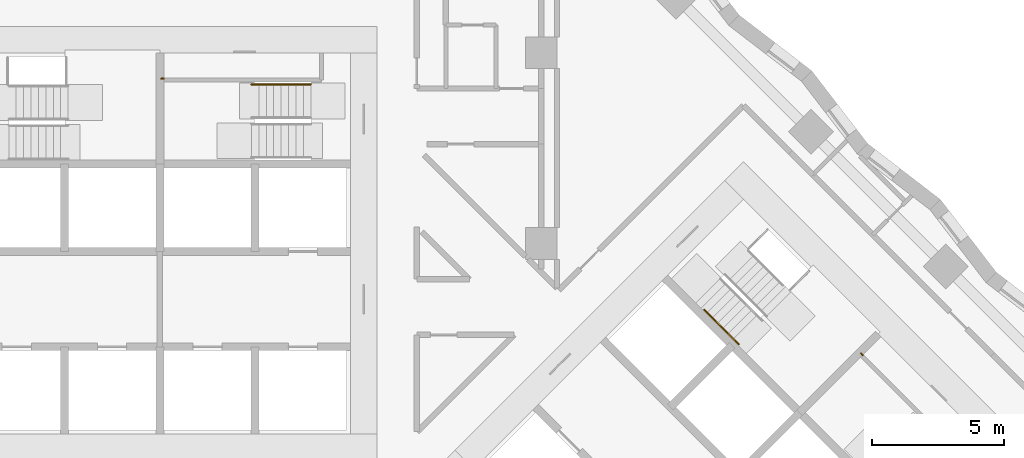
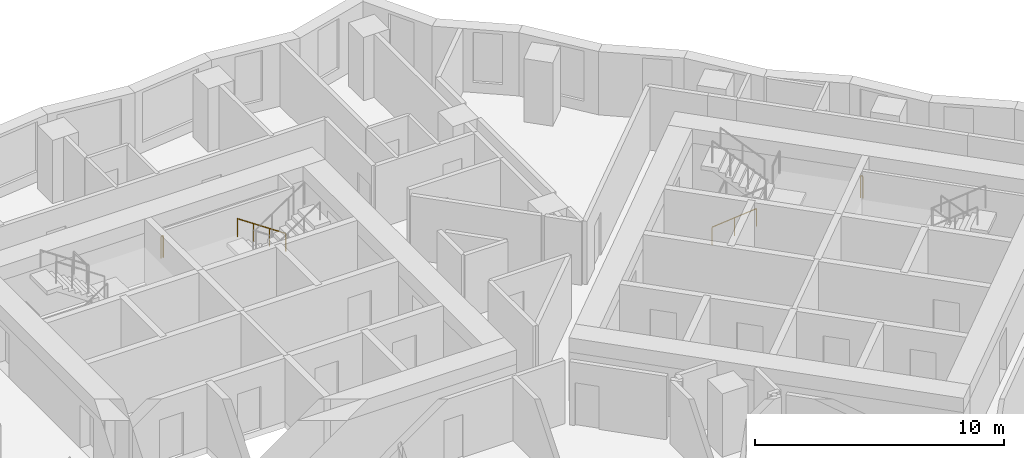
# One storey, part 13 of 14: 4 railings.
"""IFC4 building model written with IfcOpenShell, lengths in metres."""

from ifc_helpers import new_model, si_unit, direction, frame, origin, origin_2d, place, context, subcontext, project, spatial, circle, extrude, material, type_object, element, save


model = new_model("IFC4")

# Units and contexts
model_context = context("Model", 3, precision=1e-05, world=origin(), true_north=direction((0.0, 1.0)))
body_context = subcontext(model_context, "Body", "Model", "MODEL_VIEW")
ifc_project = project(units=[si_unit("LENGTHUNIT", "METRE"), si_unit("AREAUNIT", "SQUARE_METRE"), si_unit("VOLUMEUNIT", "CUBIC_METRE"), si_unit("PLANEANGLEUNIT", "RADIAN"), si_unit("MASSUNIT", "GRAM", prefix="KILO")], contexts=[model_context])

# Site, building, storey
site_placement = place(None, origin())
site = spatial("IfcSite", under=ifc_project, at=site_placement, CompositionType="ELEMENT")
building_placement = place(site_placement, origin())
building = spatial("IfcBuilding", under=site, at=building_placement, Name="Windrow Commons", CompositionType="ELEMENT")
storey_placement = place(building_placement, frame((0.0, 0.0, 44.0)))
storey = spatial("IfcBuildingStorey", under=building, at=storey_placement, Name="L11", CompositionType="ELEMENT", Elevation=44.0)

# Railings
ifc_material_1 = material(Name="Steel S355", Category="steel")
railing_type_1 = type_object("IfcRailingType", Name="Core stair guard 1100", PredefinedType="GUARDRAIL", material=ifc_material_1)
railing_1_placement = place(storey_placement, frame((64.95, 63.825, 1.7)))
element("IfcRailing", 1, at=railing_1_placement, inside=storey, type_object=railing_type_1, Name="L11 ST-A2 stair guard 3", PredefinedType="GUARDRAIL", context=body_context, shape_type="SweptSolid", body=[
    extrude(circle(Radius=0.024, at=origin_2d()), frame((0.0, 0.0, 1.076), z_axis=(-1.0, 0.0, 0.0), x_axis=(0.0, -1.0, 0.0)), (0.0, 0.0, 1.0), 0.1),
    extrude(circle(Radius=0.021, at=origin_2d()), origin(), (0.0, 0.0, 1.0), 1.052),
    extrude(circle(Radius=0.021, at=origin_2d()), frame((-0.1, 0.0, 0.0)), (0.0, 0.0, 1.0), 1.052),
])
railing_2_placement = place(storey_placement, frame((91.3446, 53.3854, 1.7)))
element("IfcRailing", 2, at=railing_2_placement, inside=storey, type_object=railing_type_1, Name="L11 ST-B2 stair guard 3", PredefinedType="GUARDRAIL", context=body_context, shape_type="SweptSolid", body=[
    extrude(circle(Radius=0.024, at=origin_2d()), frame((0.0, 0.0, 1.076), z_axis=(-0.7076063266, 0.7066068826, 0.0), x_axis=(-0.7066068826, -0.7076063266, 0.0)), (0.0, 0.0, 1.0), 0.1001),
    extrude(circle(Radius=0.021, at=origin_2d()), origin(), (0.0, 0.0, 1.0), 1.052),
    extrude(circle(Radius=0.021, at=origin_2d()), frame((-0.0708, 0.0707, 0.0)), (0.0, 0.0, 1.0), 1.052),
])
ifc_material_2 = material(Name="Steel S355", Category="steel")
railing_type_2 = type_object("IfcRailingType", Name="Core stair handrail 900", PredefinedType="HANDRAIL", material=ifc_material_2)
railing_3_placement = place(storey_placement, frame((70.5, 63.605, 0.1889)))
element("IfcRailing", 3, at=railing_3_placement, inside=storey, type_object=railing_type_2, Name="L11 ST-A2 stair handrail 1", PredefinedType="HANDRAIL", context=body_context, shape_type="SweptSolid", body=[
    extrude(circle(Radius=0.024, at=origin_2d()), frame((0.0, 0.0, 0.876), z_axis=(-0.8290030985, 0.0, 0.5592440099), x_axis=(0.0, -1.0, 0.0)), (0.0, 0.0, 1.0), 2.702),
    extrude(circle(Radius=0.021, at=origin_2d()), origin(), (0.0, 0.0, 1.0), 0.852),
    extrude(circle(Radius=0.021, at=origin_2d()), frame((-0.7467, 0.0, 0.5037)), (0.0, 0.0, 1.0), 0.852),
    extrude(circle(Radius=0.021, at=origin_2d()), frame((-1.4933, 0.0, 1.0074)), (0.0, 0.0, 1.0), 0.852),
    extrude(circle(Radius=0.021, at=origin_2d()), frame((-2.24, 0.0, 1.5111)), (0.0, 0.0, 1.0), 0.852),
])
railing_4_placement = place(storey_placement, frame((85.3518, 55.1001, 0.4587)))
element("IfcRailing", 4, at=railing_4_placement, inside=storey, type_object=railing_type_2, Name="L11 ST-B1 stair handrail 1", PredefinedType="HANDRAIL", context=body_context, shape_type="SweptSolid", body=[
    extrude(circle(Radius=0.024, at=origin_2d()), frame((0.0, 0.0, 0.876), z_axis=(0.586206706, -0.5861616513, 0.5592639952), x_axis=(0.7070796062, 0.7071339551, 0.0)), (0.0, 0.0, 1.0), 2.2195),
    extrude(circle(Radius=0.021, at=origin_2d()), origin(), (0.0, 0.0, 1.0), 0.852),
    extrude(circle(Radius=0.021, at=origin_2d()), frame((0.6506, -0.6505, 0.6207)), (0.0, 0.0, 1.0), 0.852),
    extrude(circle(Radius=0.021, at=origin_2d()), frame((1.3011, -1.301, 1.2413)), (0.0, 0.0, 1.0), 0.852),
])

save(model, "model.ifc")
